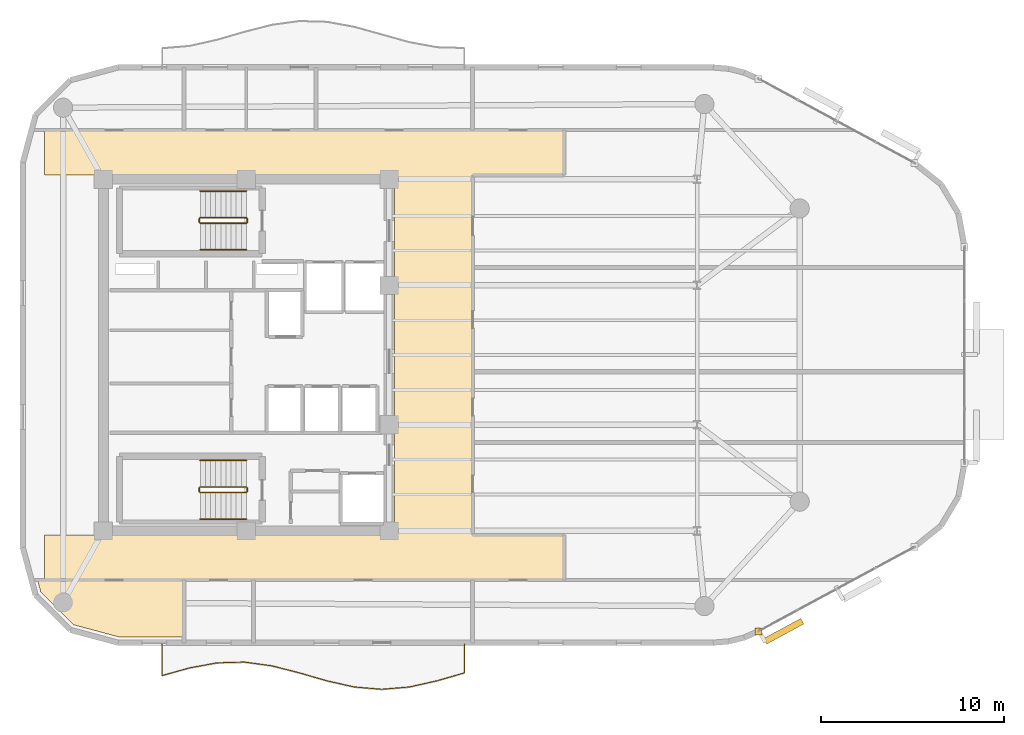
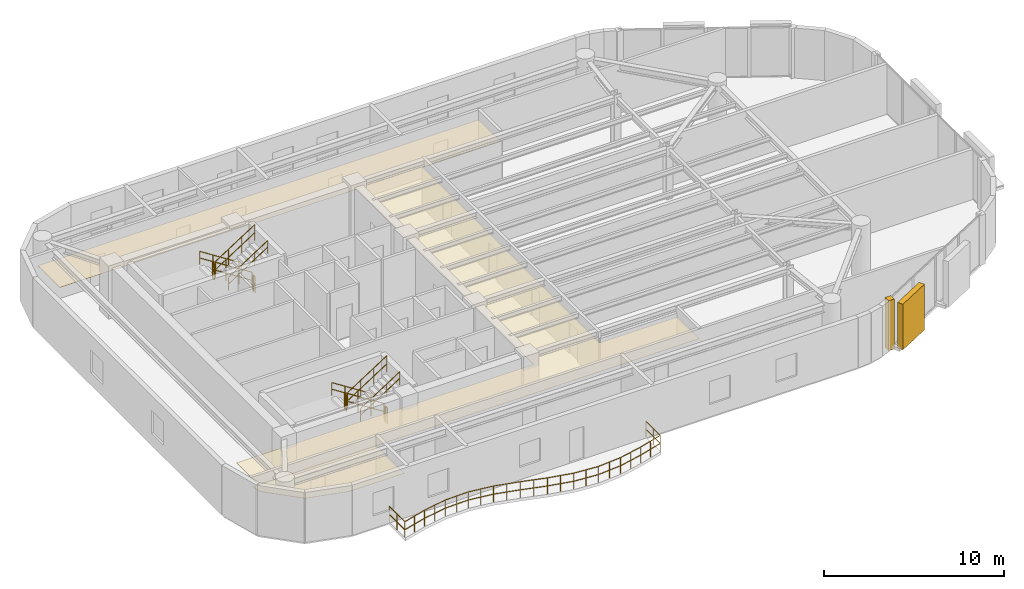
# One storey, part 12 of 13: 13 railings, 3 coverings, 1 shading device.
"""IFC4 building model written with IfcOpenShell, lengths in metres."""

from ifc_helpers import new_model, si_unit, direction, frame, origin, origin_2d, place, context, subcontext, project, spatial, polyline, rectangle, circle, outline, extrude, material, layer, layer_set, type_object, element, save


model = new_model("IFC4")

# Units and contexts
model_context = context("Model", 3, precision=1e-05, world=origin(), true_north=direction((0.0, 1.0)))
body_context = subcontext(model_context, "Body", "Model", "MODEL_VIEW")
ifc_project = project(units=[si_unit("LENGTHUNIT", "METRE"), si_unit("AREAUNIT", "SQUARE_METRE"), si_unit("VOLUMEUNIT", "CUBIC_METRE"), si_unit("PLANEANGLEUNIT", "RADIAN"), si_unit("MASSUNIT", "GRAM", prefix="KILO")], contexts=[model_context])

# Site, building, storey
site_placement = place(None, origin())
site = spatial("IfcSite", under=ifc_project, at=site_placement, CompositionType="ELEMENT")
building_placement = place(site_placement, origin())
building = spatial("IfcBuilding", under=site, at=building_placement, Name="An Khanh Terracotta Commons", CompositionType="ELEMENT")
storey_placement = place(building_placement, frame((0.0, 0.0, 222.89990234375)))
storey = spatial("IfcBuildingStorey", under=building, at=storey_placement, Name="L58", CompositionType="ELEMENT", Elevation=222.89990234375)

# Coverings
ifc_material_1 = material(Name="Perforated Mineral-Fibre Acoustic Tile")
ifc_layer_1 = layer(ifc_material_1, 0.02001953125, Name="Perforated Mineral-Fibre Acoustic Tile")
ifc_layer_set_1 = layer_set([ifc_layer_1], Name="Perforated Mineral-Fibre Acoustic Tile")
covering_type_1 = type_object("IfcCoveringType", Name="CEIL-ACOUSTIC-18", PredefinedType="CEILING", material=ifc_layer_set_1)
covering_1_placement = place(storey_placement, frame((0.0, 0.0, 2.650146484375)))
element("IfcCovering", 1, at=covering_1_placement, inside=storey, type_object=covering_type_1, Name="L58 Corridor Ceiling", PredefinedType="CEILING", context=body_context, shape_type="SweptSolid", body=[
    extrude(outline(polyline([(37.5, 14.179931640625), (37.5, 33.820068359375), (18.39990234375, 33.820068359375), (18.39990234375, 36.280029296875), (37.5, 36.280029296875), (41.75, 36.280029296875), (46.75, 36.280029296875), (46.75, 33.820068359375), (41.75, 33.820068359375), (41.75, 14.179931640625), (46.75, 14.179931640625), (46.75, 11.719970703125), (41.75, 11.719970703125), (37.5, 11.719970703125), (18.39990234375, 11.719970703125), (18.39990234375, 14.179931640625), (37.5, 14.179931640625)])), origin(), (0.0, 0.0, 1.0), 0.02001953125),
])
covering_2_placement = place(storey_placement, frame((0.0, 0.0, 2.650146484375)))
element("IfcCovering", 2, at=covering_2_placement, inside=storey, type_object=covering_type_1, Name="L58 Student Reading Library Ceiling", PredefinedType="CEILING", context=body_context, shape_type="SweptSolid", body=[
    extrude(outline(polyline([(22.44189453125, 8.6201171875), (19.966064453125, 9.283935546875), (18.18408203125, 11.06591796875), (18.008056640625, 11.719970703125), (18.39990234375, 11.719970703125), (26.0, 11.719970703125), (26.0, 8.64990234375), (26.0, 8.6201171875), (22.44189453125, 8.6201171875)])), origin(), (0.0, 0.0, 1.0), 0.02001953125),
])
ifc_material_2 = material(Name="Fired Terracotta Rainscreen Cladding", Category="masonry")
ifc_layer_2 = layer(ifc_material_2, 0.080078125, Name="Fired Terracotta Rainscreen Cladding")
ifc_layer_set_2 = layer_set([ifc_layer_2], Name="Fired Terracotta Rainscreen Cladding")
covering_type_2 = type_object("IfcCoveringType", Name="COV-JAMB-TERRA", PredefinedType="CLADDING", material=ifc_layer_set_2)
covering_3_placement = place(storey_placement, frame((57.35693359375, 8.925048828125, 0.000244140625), z_axis=(0.0, 0.0, 1.0), x_axis=(1.0, 0.0, 0.0)))
element("IfcCovering", 3, at=covering_3_placement, inside=storey, type_object=covering_type_2, Name="L58 CW-03 Curtain-Wall Jamb Closure JA", PredefinedType="CLADDING", context=body_context, shape_type="SweptSolid", body=[
    extrude(rectangle(XDim=0.3798828125, YDim=0.3798828125, at=origin_2d()), origin(), (0.0, 0.0, 1.0), 3.39990234375),
])

# Railings
ifc_material_3 = material(Name="Brushed Stainless Steel 316", Category="steel")
railing_type_1 = type_object("IfcRailingType", Name="RAIL-BALUSTRADE-1100", PredefinedType="BALUSTRADE", material=ifc_material_3)
railing_1_placement = place(storey_placement, frame((24.800048828125, 8.239990234375, 0.0)))
element("IfcRailing", 4, at=railing_1_placement, inside=storey, type_object=railing_type_1, Name="L58 S Wave Balcony Guard Balustrade", PredefinedType="BALUSTRADE", context=body_context, shape_type="SweptSolid", body=[
    extrude(circle(Radius=0.02392578125, at=origin_2d()), frame((0.0, 0.0, 1.076171875), z_axis=(0.0, -1.0, 0.0), x_axis=(1.0, 0.0, 0.0)), (0.0, 0.0, 1.0), 1.72998046875),
    extrude(circle(Radius=0.02392578125, at=origin_2d()), frame((0.0, 0.0, 0.52587890625), z_axis=(0.0, -1.0, 0.0), x_axis=(1.0, 0.0, 0.0)), (0.0, 0.0, 1.0), 1.72998046875),
    extrude(circle(Radius=0.02392578125, at=origin_2d()), frame((0.0, -1.72998046875, 1.076171875), z_axis=(0.963463971294, 0.267837965978, 0.0), x_axis=(-0.267837965978, 0.963463971294, 0.0)), (0.0, 0.0, 1.0), 1.556884765625),
    extrude(circle(Radius=0.02392578125, at=origin_2d()), frame((0.0, -1.72998046875, 0.52587890625), z_axis=(0.963463971294, 0.267837965978, 0.0), x_axis=(-0.267837965978, 0.963463971294, 0.0)), (0.0, 0.0, 1.0), 1.556884765625),
    extrude(circle(Radius=0.02392578125, at=origin_2d()), frame((1.5, -1.31298828125, 1.076171875), z_axis=(0.983504185039, 0.180885372574, 0.0), x_axis=(-0.180885372574, 0.983504185039, 0.0)), (0.0, 0.0, 1.0), 1.525146484375),
    extrude(circle(Radius=0.02392578125, at=origin_2d()), frame((1.5, -1.31298828125, 0.52587890625), z_axis=(0.983504185039, 0.180885372574, 0.0), x_axis=(-0.180885372574, 0.983504185039, 0.0)), (0.0, 0.0, 1.0), 1.525146484375),
    extrude(circle(Radius=0.02392578125, at=origin_2d()), frame((3.0, -1.037109375, 1.076171875), z_axis=(0.999585290582, 0.028796646555, 0.0), x_axis=(-0.028796646555, 0.999585290582, 0.0)), (0.0, 0.0, 1.0), 1.500732421875),
    extrude(circle(Radius=0.02392578125, at=origin_2d()), frame((3.0, -1.037109375, 0.52587890625), z_axis=(0.999585290582, 0.028796646555, 0.0), x_axis=(-0.028796646555, 0.999585290582, 0.0)), (0.0, 0.0, 1.0), 1.500732421875),
    extrude(circle(Radius=0.02392578125, at=origin_2d()), frame((4.5, -0.993896484375, 1.076171875), z_axis=(0.990696239711, -0.136091736054, 0.0), x_axis=(0.136091736054, 0.990696239711, 0.0)), (0.0, 0.0, 1.0), 1.51416015625),
    extrude(circle(Radius=0.02392578125, at=origin_2d()), frame((4.5, -0.993896484375, 0.52587890625), z_axis=(0.990696239711, -0.136091736054, 0.0), x_axis=(0.136091736054, 0.990696239711, 0.0)), (0.0, 0.0, 1.0), 1.51416015625),
    extrude(circle(Radius=0.02392578125, at=origin_2d()), frame((6.0, -1.199951171875, 1.076171875), z_axis=(0.968754262999, -0.248022535107, 0.0), x_axis=(0.248022535107, 0.968754262999, 0.0)), (0.0, 0.0, 1.0), 1.54833984375),
    extrude(circle(Radius=0.02392578125, at=origin_2d()), frame((6.0, -1.199951171875, 0.52587890625), z_axis=(0.968754262999, -0.248022535107, 0.0), x_axis=(0.248022535107, 0.968754262999, 0.0)), (0.0, 0.0, 1.0), 1.54833984375),
    extrude(circle(Radius=0.02392578125, at=origin_2d()), frame((7.5, -1.583984375, 1.076171875), z_axis=(0.960753088359, -0.277404944458, 0.0), x_axis=(0.277404944458, 0.960753088359, 0.0)), (0.0, 0.0, 1.0), 1.561279296875),
    extrude(circle(Radius=0.02392578125, at=origin_2d()), frame((7.5, -1.583984375, 0.52587890625), z_axis=(0.960753088359, -0.277404944458, 0.0), x_axis=(0.277404944458, 0.960753088359, 0.0)), (0.0, 0.0, 1.0), 1.561279296875),
    extrude(circle(Radius=0.02392578125, at=origin_2d()), frame((9.0, -2.01708984375, 1.076171875), z_axis=(0.975691310659, -0.21914941548, 0.0), x_axis=(0.21914941548, 0.975691310659, 0.0)), (0.0, 0.0, 1.0), 1.537353515625),
    extrude(circle(Radius=0.02392578125, at=origin_2d()), frame((9.0, -2.01708984375, 0.52587890625), z_axis=(0.975691310659, -0.21914941548, 0.0), x_axis=(0.21914941548, 0.975691310659, 0.0)), (0.0, 0.0, 1.0), 1.537353515625),
    extrude(circle(Radius=0.02392578125, at=origin_2d()), frame((10.5, -2.35400390625, 1.076171875), z_axis=(0.996491859681, -0.083689746028, 0.0), x_axis=(0.083689746028, 0.996491859681, 0.0)), (0.0, 0.0, 1.0), 1.50537109375),
    extrude(circle(Radius=0.02392578125, at=origin_2d()), frame((10.5, -2.35400390625, 0.52587890625), z_axis=(0.996491859681, -0.083689746028, 0.0), x_axis=(0.083689746028, 0.996491859681, 0.0)), (0.0, 0.0, 1.0), 1.50537109375),
    extrude(circle(Radius=0.02392578125, at=origin_2d()), frame((12.0, -2.47998046875, 1.076171875), z_axis=(0.996491859681, 0.083689746028, 0.0), x_axis=(-0.083689746028, 0.996491859681, 0.0)), (0.0, 0.0, 1.0), 1.50537109375),
    extrude(circle(Radius=0.02392578125, at=origin_2d()), frame((12.0, -2.47998046875, 0.52587890625), z_axis=(0.996491859681, 0.083689746028, 0.0), x_axis=(-0.083689746028, 0.996491859681, 0.0)), (0.0, 0.0, 1.0), 1.50537109375),
    extrude(circle(Radius=0.02392578125, at=origin_2d()), frame((13.5, -2.35400390625, 1.076171875), z_axis=(0.975691310659, 0.21914941548, 0.0), x_axis=(-0.21914941548, 0.975691310659, 0.0)), (0.0, 0.0, 1.0), 1.537353515625),
    extrude(circle(Radius=0.02392578125, at=origin_2d()), frame((13.5, -2.35400390625, 0.52587890625), z_axis=(0.975691310659, 0.21914941548, 0.0), x_axis=(-0.21914941548, 0.975691310659, 0.0)), (0.0, 0.0, 1.0), 1.537353515625),
    extrude(circle(Radius=0.02392578125, at=origin_2d()), frame((15.0, -2.01708984375, 1.076171875), z_axis=(0.960753088359, 0.277404944458, 0.0), x_axis=(-0.277404944458, 0.960753088359, 0.0)), (0.0, 0.0, 1.0), 1.561279296875),
    extrude(circle(Radius=0.02392578125, at=origin_2d()), frame((15.0, -2.01708984375, 0.52587890625), z_axis=(0.960753088359, 0.277404944458, 0.0), x_axis=(-0.277404944458, 0.960753088359, 0.0)), (0.0, 0.0, 1.0), 1.561279296875),
    extrude(circle(Radius=0.02392578125, at=origin_2d()), frame((16.5, -1.583984375, 1.076171875), z_axis=(0.0, 1.0, 0.0), x_axis=(-1.0, 0.0, 0.0)), (0.0, 0.0, 1.0), 1.583984375),
    extrude(circle(Radius=0.02392578125, at=origin_2d()), frame((16.5, -1.583984375, 0.52587890625), z_axis=(0.0, 1.0, 0.0), x_axis=(-1.0, 0.0, 0.0)), (0.0, 0.0, 1.0), 1.583984375),
    extrude(circle(Radius=0.02099609375, at=origin_2d()), origin(), (0.0, 0.0, 1.0), 1.052001953125),
    extrude(circle(Radius=0.02099609375, at=origin_2d()), frame((0.0, -0.864990234375, 0.0)), (0.0, 0.0, 1.0), 1.052001953125),
    extrude(circle(Radius=0.02099609375, at=origin_2d()), frame((0.0, -1.72998046875, 0.0)), (0.0, 0.0, 1.0), 1.052001953125),
    extrude(circle(Radius=0.02099609375, at=origin_2d()), frame((0.75, -1.521484375, 0.0)), (0.0, 0.0, 1.0), 1.052001953125),
    extrude(circle(Radius=0.02099609375, at=origin_2d()), frame((1.5, -1.31298828125, 0.0)), (0.0, 0.0, 1.0), 1.052001953125),
    extrude(circle(Radius=0.02099609375, at=origin_2d()), frame((2.25, -1.175048828125, 0.0)), (0.0, 0.0, 1.0), 1.052001953125),
    extrude(circle(Radius=0.02099609375, at=origin_2d()), frame((3.0, -1.037109375, 0.0)), (0.0, 0.0, 1.0), 1.052001953125),
    extrude(circle(Radius=0.02099609375, at=origin_2d()), frame((3.75, -1.015625, 0.0)), (0.0, 0.0, 1.0), 1.052001953125),
    extrude(circle(Radius=0.02099609375, at=origin_2d()), frame((4.5, -0.993896484375, 0.0)), (0.0, 0.0, 1.0), 1.052001953125),
    extrude(circle(Radius=0.02099609375, at=origin_2d()), frame((5.25, -1.096923828125, 0.0)), (0.0, 0.0, 1.0), 1.052001953125),
    extrude(circle(Radius=0.02099609375, at=origin_2d()), frame((6.0, -1.199951171875, 0.0)), (0.0, 0.0, 1.0), 1.052001953125),
    extrude(circle(Radius=0.02099609375, at=origin_2d()), frame((6.75, -1.39208984375, 0.0)), (0.0, 0.0, 1.0), 1.052001953125),
    extrude(circle(Radius=0.02099609375, at=origin_2d()), frame((7.5, -1.583984375, 0.0)), (0.0, 0.0, 1.0), 1.052001953125),
    extrude(circle(Radius=0.02099609375, at=origin_2d()), frame((8.25, -1.800537109375, 0.0)), (0.0, 0.0, 1.0), 1.052001953125),
    extrude(circle(Radius=0.02099609375, at=origin_2d()), frame((9.0, -2.01708984375, 0.0)), (0.0, 0.0, 1.0), 1.052001953125),
    extrude(circle(Radius=0.02099609375, at=origin_2d()), frame((9.75, -2.185546875, 0.0)), (0.0, 0.0, 1.0), 1.052001953125),
    extrude(circle(Radius=0.02099609375, at=origin_2d()), frame((10.5, -2.35400390625, 0.0)), (0.0, 0.0, 1.0), 1.052001953125),
    extrude(circle(Radius=0.02099609375, at=origin_2d()), frame((11.25, -2.4169921875, 0.0)), (0.0, 0.0, 1.0), 1.052001953125),
    extrude(circle(Radius=0.02099609375, at=origin_2d()), frame((12.0, -2.47998046875, 0.0)), (0.0, 0.0, 1.0), 1.052001953125),
    extrude(circle(Radius=0.02099609375, at=origin_2d()), frame((12.75, -2.4169921875, 0.0)), (0.0, 0.0, 1.0), 1.052001953125),
    extrude(circle(Radius=0.02099609375, at=origin_2d()), frame((13.5, -2.35400390625, 0.0)), (0.0, 0.0, 1.0), 1.052001953125),
    extrude(circle(Radius=0.02099609375, at=origin_2d()), frame((14.25, -2.185546875, 0.0)), (0.0, 0.0, 1.0), 1.052001953125),
    extrude(circle(Radius=0.02099609375, at=origin_2d()), frame((15.0, -2.01708984375, 0.0)), (0.0, 0.0, 1.0), 1.052001953125),
    extrude(circle(Radius=0.02099609375, at=origin_2d()), frame((15.75, -1.800537109375, 0.0)), (0.0, 0.0, 1.0), 1.052001953125),
    extrude(circle(Radius=0.02099609375, at=origin_2d()), frame((16.5, -1.583984375, 0.0)), (0.0, 0.0, 1.0), 1.052001953125),
    extrude(circle(Radius=0.02099609375, at=origin_2d()), frame((16.5, -0.7919921875, 0.0)), (0.0, 0.0, 1.0), 1.052001953125),
    extrude(circle(Radius=0.02099609375, at=origin_2d()), frame((16.5, 0.0, 0.0)), (0.0, 0.0, 1.0), 1.052001953125),
])
railing_type_2 = type_object("IfcRailingType", Name="RAIL-HANDRAIL-900", PredefinedType="HANDRAIL", material=ifc_material_3)
railing_2_placement = place(storey_placement, frame((29.409912109375, 32.949951171875, 0.18017578125)))
element("IfcRailing", 5, at=railing_2_placement, inside=storey, type_object=railing_type_2, Name="L58 ST-01 stair handrail 1", PredefinedType="HANDRAIL", context=body_context, shape_type="SweptSolid", body=[
    extrude(circle(Radius=0.02392578125, at=origin_2d()), frame((0.0, 0.0, 0.8759765625), z_axis=(-0.841199657755, 0.0, 0.540724639528), x_axis=(0.0, -1.0, 0.0)), (0.0, 0.0, 1.0), 2.995849609375),
    extrude(circle(Radius=0.02392578125, at=origin_2d()), frame((0.0, 0.0, 0.42578125), z_axis=(-0.841199657755, 0.0, 0.540724639528), x_axis=(0.0, -1.0, 0.0)), (0.0, 0.0, 1.0), 2.995849609375),
    extrude(circle(Radius=0.02099609375, at=origin_2d()), origin(), (0.0, 0.0, 1.0), 0.851806640625),
    extrude(circle(Radius=0.02099609375, at=origin_2d()), frame((-0.840087890625, 0.0, 0.5400390625)), (0.0, 0.0, 1.0), 0.851806640625),
    extrude(circle(Radius=0.02099609375, at=origin_2d()), frame((-1.679931640625, 0.0, 1.079833984375)), (0.0, 0.0, 1.0), 0.851806640625),
    extrude(circle(Radius=0.02099609375, at=origin_2d()), frame((-2.52001953125, 0.0, 1.619873046875)), (0.0, 0.0, 1.0), 0.851806640625),
])
railing_3_placement = place(storey_placement, frame((26.889892578125, 29.75, 1.97998046875)))
element("IfcRailing", 6, at=railing_3_placement, inside=storey, type_object=railing_type_2, Name="L58 ST-01 stair handrail 2", PredefinedType="HANDRAIL", context=body_context, shape_type="SweptSolid", body=[
    extrude(circle(Radius=0.02392578125, at=origin_2d()), frame((0.0, 0.0, 0.8759765625), z_axis=(0.841162588446, 0.0, 0.540782303519), x_axis=(0.0, 1.0, 0.0)), (0.0, 0.0, 1.0), 2.995849609375),
    extrude(circle(Radius=0.02392578125, at=origin_2d()), frame((0.0, 0.0, 0.42578125), z_axis=(0.841162588446, 0.0, 0.540782303519), x_axis=(0.0, 1.0, 0.0)), (0.0, 0.0, 1.0), 2.995849609375),
    extrude(circle(Radius=0.02099609375, at=origin_2d()), origin(), (0.0, 0.0, 1.0), 0.851806640625),
    extrude(circle(Radius=0.02099609375, at=origin_2d()), frame((0.840087890625, 0.0, 0.5400390625)), (0.0, 0.0, 1.0), 0.851806640625),
    extrude(circle(Radius=0.02099609375, at=origin_2d()), frame((1.679931640625, 0.0, 1.080078125)), (0.0, 0.0, 1.0), 0.851806640625),
    extrude(circle(Radius=0.02099609375, at=origin_2d()), frame((2.52001953125, 0.0, 1.6201171875)), (0.0, 0.0, 1.0), 0.851806640625),
])
railing_4_placement = place(storey_placement, frame((29.409912109375, 18.25, 0.18017578125)))
element("IfcRailing", 7, at=railing_4_placement, inside=storey, type_object=railing_type_2, Name="L58 ST-02 stair handrail 1", PredefinedType="HANDRAIL", context=body_context, shape_type="SweptSolid", body=[
    extrude(circle(Radius=0.02392578125, at=origin_2d()), frame((0.0, 0.0, 0.8759765625), z_axis=(-0.841199657755, 0.0, 0.540724639528), x_axis=(0.0, -1.0, 0.0)), (0.0, 0.0, 1.0), 2.995849609375),
    extrude(circle(Radius=0.02392578125, at=origin_2d()), frame((0.0, 0.0, 0.42578125), z_axis=(-0.841199657755, 0.0, 0.540724639528), x_axis=(0.0, -1.0, 0.0)), (0.0, 0.0, 1.0), 2.995849609375),
    extrude(circle(Radius=0.02099609375, at=origin_2d()), origin(), (0.0, 0.0, 1.0), 0.851806640625),
    extrude(circle(Radius=0.02099609375, at=origin_2d()), frame((-0.840087890625, 0.0, 0.5400390625)), (0.0, 0.0, 1.0), 0.851806640625),
    extrude(circle(Radius=0.02099609375, at=origin_2d()), frame((-1.679931640625, 0.0, 1.079833984375)), (0.0, 0.0, 1.0), 0.851806640625),
    extrude(circle(Radius=0.02099609375, at=origin_2d()), frame((-2.52001953125, 0.0, 1.619873046875)), (0.0, 0.0, 1.0), 0.851806640625),
])
railing_5_placement = place(storey_placement, frame((26.889892578125, 15.050048828125, 1.97998046875)))
element("IfcRailing", 8, at=railing_5_placement, inside=storey, type_object=railing_type_2, Name="L58 ST-02 stair handrail 2", PredefinedType="HANDRAIL", context=body_context, shape_type="SweptSolid", body=[
    extrude(circle(Radius=0.02392578125, at=origin_2d()), frame((0.0, 0.0, 0.8759765625), z_axis=(0.841162588446, 0.0, 0.540782303519), x_axis=(0.0, 1.0, 0.0)), (0.0, 0.0, 1.0), 2.995849609375),
    extrude(circle(Radius=0.02392578125, at=origin_2d()), frame((0.0, 0.0, 0.42578125), z_axis=(0.841162588446, 0.0, 0.540782303519), x_axis=(0.0, 1.0, 0.0)), (0.0, 0.0, 1.0), 2.995849609375),
    extrude(circle(Radius=0.02099609375, at=origin_2d()), origin(), (0.0, 0.0, 1.0), 0.851806640625),
    extrude(circle(Radius=0.02099609375, at=origin_2d()), frame((0.840087890625, 0.0, 0.5400390625)), (0.0, 0.0, 1.0), 0.851806640625),
    extrude(circle(Radius=0.02099609375, at=origin_2d()), frame((1.679931640625, 0.0, 1.080078125)), (0.0, 0.0, 1.0), 0.851806640625),
    extrude(circle(Radius=0.02099609375, at=origin_2d()), frame((2.52001953125, 0.0, 1.6201171875)), (0.0, 0.0, 1.0), 0.851806640625),
])
ifc_material_4 = material(Name="Powder-Coated Steel S355J2", Category="steel")
railing_type_3 = type_object("IfcRailingType", Name="RAIL-STAIR-GUARD-1100", PredefinedType="BALUSTRADE", material=ifc_material_4)
railing_6_placement = place(storey_placement, frame((29.409912109375, 31.5, 0.18017578125)))
element("IfcRailing", 9, at=railing_6_placement, inside=storey, type_object=railing_type_3, Name="L58 ST-01 stair guard 1", PredefinedType="BALUSTRADE", context=body_context, shape_type="SweptSolid", body=[
    extrude(circle(Radius=0.02392578125, at=origin_2d()), frame((0.0, 0.0, 1.076171875), z_axis=(-0.841199657755, 0.0, 0.540724639528), x_axis=(0.0, -1.0, 0.0)), (0.0, 0.0, 1.0), 2.995849609375),
    extrude(circle(Radius=0.02392578125, at=origin_2d()), frame((0.0, 0.0, 0.52587890625), z_axis=(-0.841199657755, 0.0, 0.540724639528), x_axis=(0.0, -1.0, 0.0)), (0.0, 0.0, 1.0), 2.995849609375),
    extrude(circle(Radius=0.02099609375, at=origin_2d()), origin(), (0.0, 0.0, 1.0), 1.052001953125),
    extrude(circle(Radius=0.02099609375, at=origin_2d()), frame((-0.840087890625, 0.0, 0.5400390625)), (0.0, 0.0, 1.0), 1.052001953125),
    extrude(circle(Radius=0.02099609375, at=origin_2d()), frame((-1.679931640625, 0.0, 1.079833984375)), (0.0, 0.0, 1.0), 1.052001953125),
    extrude(circle(Radius=0.02099609375, at=origin_2d()), frame((-2.52001953125, 0.0, 1.619873046875)), (0.0, 0.0, 1.0), 1.052001953125),
])
railing_7_placement = place(storey_placement, frame((26.840087890625, 31.449951171875, 1.800048828125)))
element("IfcRailing", 10, at=railing_7_placement, inside=storey, type_object=railing_type_3, Name="L58 ST-01 stair guard 2", PredefinedType="BALUSTRADE", context=body_context, shape_type="SweptSolid", body=[
    extrude(circle(Radius=0.02392578125, at=origin_2d()), frame((0.0, 0.0, 1.076171875), z_axis=(0.0, -1.0, 0.0), x_axis=(1.0, 0.0, 0.0)), (0.0, 0.0, 1.0), 0.199951171875),
    extrude(circle(Radius=0.02392578125, at=origin_2d()), frame((0.0, 0.0, 0.52587890625), z_axis=(0.0, -1.0, 0.0), x_axis=(1.0, 0.0, 0.0)), (0.0, 0.0, 1.0), 0.199951171875),
    extrude(circle(Radius=0.02099609375, at=origin_2d()), origin(), (0.0, 0.0, 1.0), 1.052001953125),
    extrude(circle(Radius=0.02099609375, at=origin_2d()), frame((0.0, -0.199951171875, 0.0)), (0.0, 0.0, 1.0), 1.052001953125),
])
railing_8_placement = place(storey_placement, frame((26.889892578125, 31.199951171875, 1.97998046875)))
element("IfcRailing", 11, at=railing_8_placement, inside=storey, type_object=railing_type_3, Name="L58 ST-01 stair guard 3", PredefinedType="BALUSTRADE", context=body_context, shape_type="SweptSolid", body=[
    extrude(circle(Radius=0.02392578125, at=origin_2d()), frame((0.0, 0.0, 1.076171875), z_axis=(0.841162588446, 0.0, 0.540782303519), x_axis=(0.0, 1.0, 0.0)), (0.0, 0.0, 1.0), 2.995849609375),
    extrude(circle(Radius=0.02392578125, at=origin_2d()), frame((0.0, 0.0, 0.52587890625), z_axis=(0.841162588446, 0.0, 0.540782303519), x_axis=(0.0, 1.0, 0.0)), (0.0, 0.0, 1.0), 2.995849609375),
    extrude(circle(Radius=0.02099609375, at=origin_2d()), origin(), (0.0, 0.0, 1.0), 1.052001953125),
    extrude(circle(Radius=0.02099609375, at=origin_2d()), frame((0.840087890625, 0.0, 0.5400390625)), (0.0, 0.0, 1.0), 1.052001953125),
    extrude(circle(Radius=0.02099609375, at=origin_2d()), frame((1.679931640625, 0.0, 1.080078125)), (0.0, 0.0, 1.0), 1.052001953125),
    extrude(circle(Radius=0.02099609375, at=origin_2d()), frame((2.52001953125, 0.0, 1.6201171875)), (0.0, 0.0, 1.0), 1.052001953125),
])
railing_9_placement = place(storey_placement, frame((29.4599609375, 31.449951171875, 0.0)))
element("IfcRailing", 12, at=railing_9_placement, inside=storey, type_object=railing_type_3, Name="L58 ST-01 stair guard 4", PredefinedType="BALUSTRADE", context=body_context, shape_type="SweptSolid", body=[
    extrude(circle(Radius=0.02392578125, at=origin_2d()), frame((0.0, 0.0, 1.076171875), z_axis=(0.0, -1.0, 0.0), x_axis=(1.0, 0.0, 0.0)), (0.0, 0.0, 1.0), 0.199951171875),
    extrude(circle(Radius=0.02392578125, at=origin_2d()), frame((0.0, 0.0, 0.52587890625), z_axis=(0.0, -1.0, 0.0), x_axis=(1.0, 0.0, 0.0)), (0.0, 0.0, 1.0), 0.199951171875),
    extrude(circle(Radius=0.02099609375, at=origin_2d()), origin(), (0.0, 0.0, 1.0), 1.052001953125),
    extrude(circle(Radius=0.02099609375, at=origin_2d()), frame((0.0, -0.199951171875, 0.0)), (0.0, 0.0, 1.0), 1.052001953125),
])
railing_10_placement = place(storey_placement, frame((29.409912109375, 16.800048828125, 0.18017578125)))
element("IfcRailing", 13, at=railing_10_placement, inside=storey, type_object=railing_type_3, Name="L58 ST-02 stair guard 1", PredefinedType="BALUSTRADE", context=body_context, shape_type="SweptSolid", body=[
    extrude(circle(Radius=0.02392578125, at=origin_2d()), frame((0.0, 0.0, 1.076171875), z_axis=(-0.841199657755, 0.0, 0.540724639528), x_axis=(0.0, -1.0, 0.0)), (0.0, 0.0, 1.0), 2.995849609375),
    extrude(circle(Radius=0.02392578125, at=origin_2d()), frame((0.0, 0.0, 0.52587890625), z_axis=(-0.841199657755, 0.0, 0.540724639528), x_axis=(0.0, -1.0, 0.0)), (0.0, 0.0, 1.0), 2.995849609375),
    extrude(circle(Radius=0.02099609375, at=origin_2d()), origin(), (0.0, 0.0, 1.0), 1.052001953125),
    extrude(circle(Radius=0.02099609375, at=origin_2d()), frame((-0.840087890625, 0.0, 0.5400390625)), (0.0, 0.0, 1.0), 1.052001953125),
    extrude(circle(Radius=0.02099609375, at=origin_2d()), frame((-1.679931640625, 0.0, 1.079833984375)), (0.0, 0.0, 1.0), 1.052001953125),
    extrude(circle(Radius=0.02099609375, at=origin_2d()), frame((-2.52001953125, 0.0, 1.619873046875)), (0.0, 0.0, 1.0), 1.052001953125),
])
railing_11_placement = place(storey_placement, frame((26.840087890625, 16.75, 1.800048828125)))
element("IfcRailing", 14, at=railing_11_placement, inside=storey, type_object=railing_type_3, Name="L58 ST-02 stair guard 2", PredefinedType="BALUSTRADE", context=body_context, shape_type="SweptSolid", body=[
    extrude(circle(Radius=0.02392578125, at=origin_2d()), frame((0.0, 0.0, 1.076171875), z_axis=(0.0, -1.0, 0.0), x_axis=(1.0, 0.0, 0.0)), (0.0, 0.0, 1.0), 0.199951171875),
    extrude(circle(Radius=0.02392578125, at=origin_2d()), frame((0.0, 0.0, 0.52587890625), z_axis=(0.0, -1.0, 0.0), x_axis=(1.0, 0.0, 0.0)), (0.0, 0.0, 1.0), 0.199951171875),
    extrude(circle(Radius=0.02099609375, at=origin_2d()), origin(), (0.0, 0.0, 1.0), 1.052001953125),
    extrude(circle(Radius=0.02099609375, at=origin_2d()), frame((0.0, -0.199951171875, 0.0)), (0.0, 0.0, 1.0), 1.052001953125),
])
railing_12_placement = place(storey_placement, frame((26.889892578125, 16.5, 1.97998046875)))
element("IfcRailing", 15, at=railing_12_placement, inside=storey, type_object=railing_type_3, Name="L58 ST-02 stair guard 3", PredefinedType="BALUSTRADE", context=body_context, shape_type="SweptSolid", body=[
    extrude(circle(Radius=0.02392578125, at=origin_2d()), frame((0.0, 0.0, 1.076171875), z_axis=(0.841162588446, 0.0, 0.540782303519), x_axis=(0.0, 1.0, 0.0)), (0.0, 0.0, 1.0), 2.995849609375),
    extrude(circle(Radius=0.02392578125, at=origin_2d()), frame((0.0, 0.0, 0.52587890625), z_axis=(0.841162588446, 0.0, 0.540782303519), x_axis=(0.0, 1.0, 0.0)), (0.0, 0.0, 1.0), 2.995849609375),
    extrude(circle(Radius=0.02099609375, at=origin_2d()), origin(), (0.0, 0.0, 1.0), 1.052001953125),
    extrude(circle(Radius=0.02099609375, at=origin_2d()), frame((0.840087890625, 0.0, 0.5400390625)), (0.0, 0.0, 1.0), 1.052001953125),
    extrude(circle(Radius=0.02099609375, at=origin_2d()), frame((1.679931640625, 0.0, 1.080078125)), (0.0, 0.0, 1.0), 1.052001953125),
    extrude(circle(Radius=0.02099609375, at=origin_2d()), frame((2.52001953125, 0.0, 1.6201171875)), (0.0, 0.0, 1.0), 1.052001953125),
])
railing_13_placement = place(storey_placement, frame((29.4599609375, 16.75, 0.0)))
element("IfcRailing", 16, at=railing_13_placement, inside=storey, type_object=railing_type_3, Name="L58 ST-02 stair guard 4", PredefinedType="BALUSTRADE", context=body_context, shape_type="SweptSolid", body=[
    extrude(circle(Radius=0.02392578125, at=origin_2d()), frame((0.0, 0.0, 1.076171875), z_axis=(0.0, -1.0, 0.0), x_axis=(1.0, 0.0, 0.0)), (0.0, 0.0, 1.0), 0.199951171875),
    extrude(circle(Radius=0.02392578125, at=origin_2d()), frame((0.0, 0.0, 0.52587890625), z_axis=(0.0, -1.0, 0.0), x_axis=(1.0, 0.0, 0.0)), (0.0, 0.0, 1.0), 0.199951171875),
    extrude(circle(Radius=0.02099609375, at=origin_2d()), origin(), (0.0, 0.0, 1.0), 1.052001953125),
    extrude(circle(Radius=0.02099609375, at=origin_2d()), frame((0.0, -0.199951171875, 0.0)), (0.0, 0.0, 1.0), 1.052001953125),
])

# Shading device
ifc_material_5 = material(Name="Extruded Fired Terracotta", Category="masonry")
shading_device_type = type_object("IfcShadingDeviceType", Name="Terracotta Baguette Screen Assembly", PredefinedType="USERDEFINED", material=ifc_material_5)
shading_device_placement = place(storey_placement, frame((58.72998046875, 8.927978515625, 0.150146484375), z_axis=(0.0, 0.0, 1.0), x_axis=(0.879780095306, 0.47538088298, 0.0)))
element("IfcShadingDevice", 17, at=shading_device_placement, inside=storey, type_object=shading_device_type, Name="L58 Terracotta Baguette Screen 1", ObjectType="BAGUETTE", PredefinedType="USERDEFINED", context=body_context, shape_type="SweptSolid", body=[
    extrude(rectangle(XDim=2.300048828125, YDim=0.35009765625, at=origin_2d()), origin(), (0.0, 0.0, 1.0), 3.10009765625),
])

save(model, "model.ifc")
